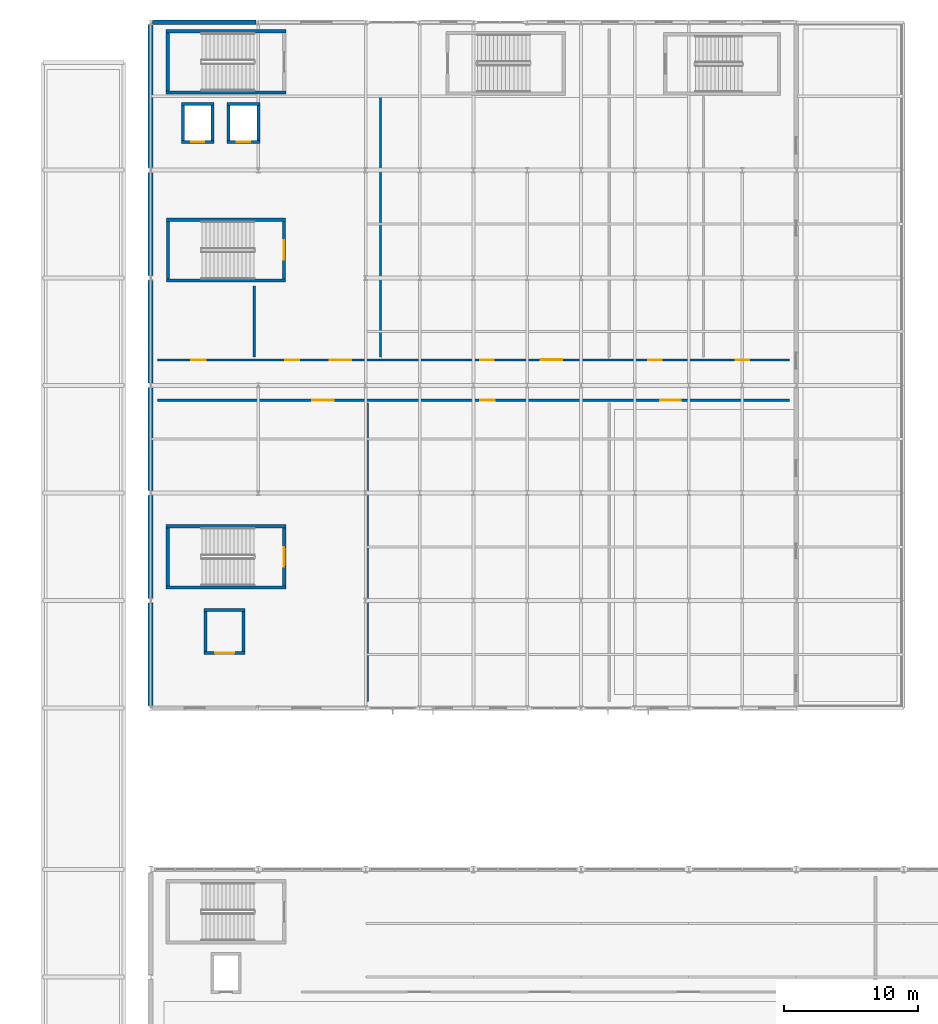
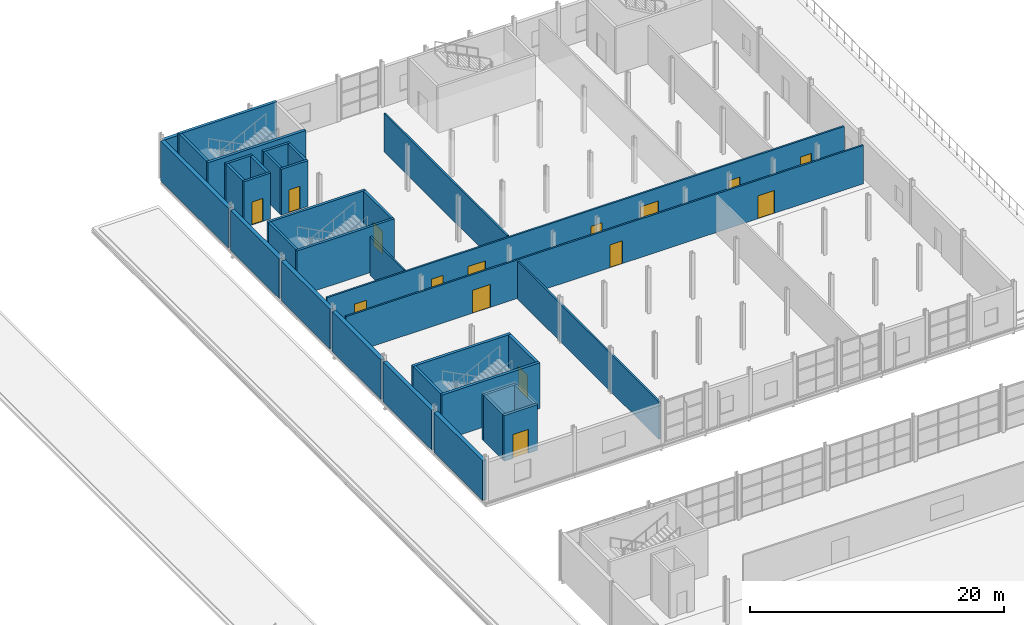
# One storey, part 139 of 153: 35 walls, 14 doors, 1 window, 15 openings.
"""IFC4 building model written with IfcOpenShell, lengths in metres."""

from ifc_helpers import new_model, si_unit, derived_unit, direction, frame, frame_2d, origin, place, context, subcontext, project, spatial, rectangle, extrude, material, layer, layer_set, type_object, element, fill, save


model = new_model("IFC4")

# Units and contexts
model_context = context("Model", 3, precision=1e-05, world=origin(), true_north=direction((0.0, 1.0)))
body_context = subcontext(model_context, "Body", "Model", "MODEL_VIEW")
ifc_project = project(units=[si_unit("LENGTHUNIT", "METRE"), si_unit("AREAUNIT", "SQUARE_METRE"), si_unit("VOLUMEUNIT", "CUBIC_METRE"), si_unit("PLANEANGLEUNIT", "RADIAN"), si_unit("MASSUNIT", "GRAM", prefix="KILO"), derived_unit("THERMALTRANSMITTANCEUNIT", [(si_unit("POWERUNIT", "WATT"), 1), (si_unit("LENGTHUNIT", "METRE"), -2), (si_unit("THERMODYNAMICTEMPERATUREUNIT", "KELVIN"), -1)])], contexts=[model_context])

# Site, building, storey
site_placement = place(None, origin())
site = spatial("IfcSite", under=ifc_project, at=site_placement, CompositionType="ELEMENT")
building_placement = place(site_placement, origin())
building = spatial("IfcBuilding", under=site, at=building_placement, Name="Keldorne Ridge Multi-Sports Centre", CompositionType="ELEMENT")
storey_placement = place(building_placement, frame((0.0, 0.0, 9.60009765625)))
storey = spatial("IfcBuildingStorey", under=building, at=storey_placement, Name="L02", CompositionType="ELEMENT", Elevation=9.60009765625)

# Walls
ifc_material_1 = material(Name="Precast concrete C40/50", Category="concrete")
ifc_layer_1 = layer(ifc_material_1, 0.320068359375)
ifc_layer_set_1 = layer_set([ifc_layer_1], Name="Precast concrete C40/50")
wall_type_1 = type_object("IfcWallType", Name="WAL-PR-W1", PredefinedType="STANDARD", material=ifc_layer_set_1)
wall_1_placement = place(storey_placement, frame((111.847900390625, 117.0, 0.0), z_axis=(0.0, 0.0, 1.0), x_axis=(-1.0, 0.0, 0.0)))
element("IfcWall", 1, at=wall_1_placement, inside=storey, type_object=wall_type_1, Name="East Wing L02 north facade 1", PredefinedType="STANDARD", context=body_context, shape_type="SweptSolid", body=[
    extrude(rectangle(XDim=7.69580078125, YDim=0.320068359375, at=frame_2d((3.847900390625, 0.0))), origin(), (0.0, 0.0, 1.0), 3.77490234375),
])
ifc_layer_2 = layer(ifc_material_1, 0.360107421875)
ifc_layer_set_2 = layer_set([ifc_layer_2], Name="Precast concrete C40/50")
wall_type_2 = type_object("IfcWallType", Name="WAL-PR-W2", PredefinedType="STANDARD", material=ifc_layer_set_2)
for number, where, z_axis, x_axis, name in (
    (2, (104.0, 73.827880859375, 0.0), (0.0, 0.0, 1.0), (0.0, -1.0, 0.0), "East Wing movement-joint wall L02.1"),
    (3, (104.0, 81.827880859375, 0.0), (0.0, 0.0, 1.0), (0.0, -1.0, 0.0), "East Wing movement-joint wall L02.2"),
    (4, (104.0, 89.827880859375, 0.0), (0.0, 0.0, 1.0), (0.0, -1.0, 0.0), "East Wing movement-joint wall L02.3"),
    (5, (104.0, 97.827880859375, 0.0), (0.0, 0.0, 1.0), (0.0, -1.0, 0.0), "East Wing movement-joint wall L02.4"),
    (6, (104.0, 105.827880859375, 0.0), (0.0, 0.0, 1.0), (0.0, -1.0, 0.0), "East Wing movement-joint wall L02.5"),
):
    element("IfcWall", number, at=place(storey_placement, frame(where, z_axis=z_axis, x_axis=x_axis)), inside=storey, type_object=wall_type_2, Name=name, PredefinedType="STANDARD", context=body_context, shape_type="SweptSolid", body=[
        extrude(rectangle(XDim=7.65576171875, YDim=0.360107421875, at=frame_2d((3.827880859375, 0.0))), origin(), (0.0, 0.0, 1.0), 3.824951171875),
    ])
wall_2_placement = place(storey_placement, frame((104.0, 116.827880859375, 0.0), z_axis=(0.0, 0.0, 1.0), x_axis=(0.0, -1.0, 0.0)))
element("IfcWall", 7, at=wall_2_placement, inside=storey, type_object=wall_type_2, Name="East Wing movement-joint wall L02.6", PredefinedType="STANDARD", context=body_context, shape_type="SweptSolid", body=[
    extrude(rectangle(XDim=10.65576171875, YDim=0.360107421875, at=frame_2d((5.327880859375, 0.0))), origin(), (0.0, 0.0, 1.0), 3.824951171875),
])

# Wall, openings, doors
ifc_material_2 = material(Name="Acoustic double stud plasterboard")
ifc_layer_3 = layer(ifc_material_2, 0.159912109375)
ifc_layer_set_3 = layer_set([ifc_layer_3])
wall_type_3 = type_object("IfcWallType", Name="WAL-PT-04", PredefinedType="PARTITIONING", material=ifc_layer_set_3)
wall_3_placement = place(storey_placement, frame((104.5, 88.89990234375, 0.0), z_axis=(0.0, 0.0, 1.0), x_axis=(1.0, 0.0, 0.0)))
wall_3 = element("IfcWall", 8, at=wall_3_placement, inside=storey, type_object=wall_type_3, Name="Clinical corridor south wall IW-L02-055", PredefinedType="PARTITIONING", context=body_context, shape_type="SweptSolid", body=[
    extrude(rectangle(XDim=47.0, YDim=0.159912109375, at=frame_2d((23.5, 0.0))), origin(), (0.0, 0.0, 1.0), 3.699951171875),
])
opening_1_placement = place(wall_3_placement, frame((11.5, 0.0, 0.0)))
opening_1 = element("IfcOpeningElement", 9, at=opening_1_placement, cuts=wall_3, Name="Opening D-04", PredefinedType="OPENING", context=body_context, shape_type="SweptSolid", body=[
    extrude(rectangle(XDim=1.60009765625, YDim=2.199951171875, at=frame_2d((0.800048828125, 1.10009765625))), frame((0.0, 0.08984375, 0.0), z_axis=(0.0, -1.0, 0.0), x_axis=(1.0, 0.0, 0.0)), (0.0, 0.0, 1.0), 0.179931640625),
])
opening_2_placement = place(wall_3_placement, frame((24.0, 0.0, 0.0)))
opening_2 = element("IfcOpeningElement", 10, at=opening_2_placement, cuts=wall_3, Name="Opening D-03", PredefinedType="OPENING", context=body_context, shape_type="SweptSolid", body=[
    extrude(rectangle(XDim=1.10009765625, YDim=2.199951171875, at=frame_2d((0.550048828125, 1.10009765625))), frame((0.0, 0.08984375, 0.0), z_axis=(0.0, -1.0, 0.0), x_axis=(1.0, 0.0, 0.0)), (0.0, 0.0, 1.0), 0.179931640625),
])
opening_3_placement = place(wall_3_placement, frame((37.39990234375, 0.0, 0.0)))
opening_3 = element("IfcOpeningElement", 11, at=opening_3_placement, cuts=wall_3, Name="Opening D-10", PredefinedType="OPENING", context=body_context, shape_type="SweptSolid", body=[
    extrude(rectangle(XDim=1.5, YDim=2.199951171875, at=frame_2d((0.75, 1.10009765625))), frame((0.0, 0.08984375, 0.0), z_axis=(0.0, -1.0, 0.0), x_axis=(1.0, 0.0, 0.0)), (0.0, 0.0, 1.0), 0.179931640625),
])
ifc_material_3 = material(Name="Timber fire-resisting leaf", Category="wood")
door_type_1 = type_object("IfcDoorType", Name="DR-D-03", OperationType="NOTDEFINED", PredefinedType="DOOR", material=ifc_material_3)
door_1_placement = place(opening_2_placement, origin())
door_1 = element("IfcDoor", 12, at=door_1_placement, inside=storey, type_object=door_type_1, Name="Training Courts Changing Village door D-115", OperationType="SINGLE_SWING_RIGHT", OverallHeight=2.199951171875, OverallWidth=1.10009765625, PredefinedType="DOOR", context=body_context, shape_type="SweptSolid", body=[
    extrude(rectangle(XDim=1.10009765625, YDim=2.199951171875, at=frame_2d((0.550048828125, 1.10009765625))), frame((0.0, 0.02490234375, 0.0), z_axis=(0.0, -1.0, 0.0), x_axis=(1.0, 0.0, 0.0)), (0.0, 0.0, 1.0), 0.050048828125),
])
fill(opening_2, door_1)
ifc_material_4 = material(Name="Timber fire-resisting pair", Category="wood")
door_type_2 = type_object("IfcDoorType", Name="DR-D-04", OperationType="NOTDEFINED", PredefinedType="DOOR", material=ifc_material_4)
door_2_placement = place(opening_1_placement, origin())
door_2 = element("IfcDoor", 13, at=door_2_placement, inside=storey, type_object=door_type_2, Name="Second floor south lift lobby door D-114", OperationType="DOUBLE_DOOR_SINGLE_SWING", OverallHeight=2.199951171875, OverallWidth=1.60009765625, PredefinedType="DOOR", context=body_context, shape_type="SweptSolid", body=[
    extrude(rectangle(XDim=1.60009765625, YDim=2.199951171875, at=frame_2d((0.800048828125, 1.10009765625))), frame((0.0, 0.02490234375, 0.0), z_axis=(0.0, -1.0, 0.0), x_axis=(1.0, 0.0, 0.0)), (0.0, 0.0, 1.0), 0.050048828125),
])
fill(opening_1, door_2)
ifc_material_5 = material(Name="Timber acoustic pair", Category="wood")
door_type_3 = type_object("IfcDoorType", Name="DR-D-10", OperationType="NOTDEFINED", PredefinedType="DOOR", material=ifc_material_5)
door_3_placement = place(opening_3_placement, origin())
door_3 = element("IfcDoor", 14, at=door_3_placement, inside=storey, type_object=door_type_3, Name="Rehab Conditioning Gymnasium door D-116", OperationType="DOUBLE_DOOR_SINGLE_SWING", OverallHeight=2.199951171875, OverallWidth=1.5, PredefinedType="DOOR", context=body_context, shape_type="SweptSolid", body=[
    extrude(rectangle(XDim=1.5, YDim=2.199951171875, at=frame_2d((0.75, 1.10009765625))), frame((0.0, 0.02490234375, 0.0), z_axis=(0.0, -1.0, 0.0), x_axis=(1.0, 0.0, 0.0)), (0.0, 0.0, 1.0), 0.050048828125),
])
fill(opening_3, door_3)

# Wall, openings, doors, window
wall_4_placement = place(storey_placement, frame((104.5, 91.89990234375, 0.0), z_axis=(0.0, 0.0, 1.0), x_axis=(1.0, 0.0, 0.0)))
wall_4 = element("IfcWall", 15, at=wall_4_placement, inside=storey, type_object=wall_type_3, Name="Clinical corridor north wall IW-L02-056", PredefinedType="PARTITIONING", context=body_context, shape_type="SweptSolid", body=[
    extrude(rectangle(XDim=47.0, YDim=0.159912109375, at=frame_2d((23.5, 0.0))), origin(), (0.0, 0.0, 1.0), 3.699951171875),
])
opening_4_placement = place(wall_4_placement, frame((2.5, 0.0, 0.0)))
opening_4 = element("IfcOpeningElement", 16, at=opening_4_placement, cuts=wall_4, Name="Opening D-03", PredefinedType="OPENING", context=body_context, shape_type="SweptSolid", body=[
    extrude(rectangle(XDim=1.10009765625, YDim=2.199951171875, at=frame_2d((0.550048828125, 1.10009765625))), frame((0.0, 0.08984375, 0.0), z_axis=(0.0, -1.0, 0.0), x_axis=(1.0, 0.0, 0.0)), (0.0, 0.0, 1.0), 0.179931640625),
])
opening_5_placement = place(wall_4_placement, frame((9.5, 0.0, 0.0)))
opening_5 = element("IfcOpeningElement", 17, at=opening_5_placement, cuts=wall_4, Name="Opening D-08", PredefinedType="OPENING", context=body_context, shape_type="SweptSolid", body=[
    extrude(rectangle(XDim=1.050048828125, YDim=2.14990234375, at=frame_2d((0.52490234375, 1.074951171875))), frame((0.0, 0.08984375, 0.0), z_axis=(0.0, -1.0, 0.0), x_axis=(1.0, 0.0, 0.0)), (0.0, 0.0, 1.0), 0.179931640625),
])
opening_6_placement = place(wall_4_placement, frame((12.800048828125, 0.0, 0.0)))
opening_6 = element("IfcOpeningElement", 18, at=opening_6_placement, cuts=wall_4, Name="Opening D-04", PredefinedType="OPENING", context=body_context, shape_type="SweptSolid", body=[
    extrude(rectangle(XDim=1.60009765625, YDim=2.199951171875, at=frame_2d((0.800048828125, 1.10009765625))), frame((0.0, 0.08984375, 0.0), z_axis=(0.0, -1.0, 0.0), x_axis=(1.0, 0.0, 0.0)), (0.0, 0.0, 1.0), 0.179931640625),
])
opening_7_placement = place(wall_4_placement, frame((24.0, 0.0, 0.0)))
opening_7 = element("IfcOpeningElement", 19, at=opening_7_placement, cuts=wall_4, Name="Opening D-02", PredefinedType="OPENING", context=body_context, shape_type="SweptSolid", body=[
    extrude(rectangle(XDim=1.0, YDim=2.14990234375, at=frame_2d((0.5, 1.074951171875))), frame((0.0, 0.08984375, 0.0), z_axis=(0.0, -1.0, 0.0), x_axis=(1.0, 0.0, 0.0)), (0.0, 0.0, 1.0), 0.179931640625),
])
opening_8_placement = place(wall_4_placement, frame((36.5, 0.0, 0.0)))
opening_8 = element("IfcOpeningElement", 20, at=opening_8_placement, cuts=wall_4, Name="Opening D-02", PredefinedType="OPENING", context=body_context, shape_type="SweptSolid", body=[
    extrude(rectangle(XDim=1.0, YDim=2.14990234375, at=frame_2d((0.5, 1.074951171875))), frame((0.0, 0.08984375, 0.0), z_axis=(0.0, -1.0, 0.0), x_axis=(1.0, 0.0, 0.0)), (0.0, 0.0, 1.0), 0.179931640625),
])
opening_9_placement = place(wall_4_placement, frame((43.0, 0.0, 0.0)))
opening_9 = element("IfcOpeningElement", 21, at=opening_9_placement, cuts=wall_4, Name="Opening D-02", PredefinedType="OPENING", context=body_context, shape_type="SweptSolid", body=[
    extrude(rectangle(XDim=1.0, YDim=2.14990234375, at=frame_2d((0.5, 1.074951171875))), frame((0.0, 0.08984375, 0.0), z_axis=(0.0, -1.0, 0.0), x_axis=(1.0, 0.0, 0.0)), (0.0, 0.0, 1.0), 0.179931640625),
])
opening_10_placement = place(wall_4_placement, frame((28.5, 0.0, 1.10009765625)))
opening_10 = element("IfcOpeningElement", 22, at=opening_10_placement, cuts=wall_4, Name="Opening IW-03", PredefinedType="OPENING", context=body_context, shape_type="SweptSolid", body=[
    extrude(rectangle(XDim=1.60009765625, YDim=1.35009765625, at=frame_2d((0.800048828125, 0.675048828125))), frame((0.0, 0.08984375, 0.0), z_axis=(0.0, -1.0, 0.0), x_axis=(1.0, 0.0, 0.0)), (0.0, 0.0, 1.0), 0.179931640625),
])
ifc_material_6 = material(Name="Timber acoustic leaf", Category="wood")
door_type_4 = type_object("IfcDoorType", Name="DR-D-02", OperationType="NOTDEFINED", PredefinedType="DOOR", material=ifc_material_6)
door_4_placement = place(opening_7_placement, origin())
door_4 = element("IfcDoor", 23, at=door_4_placement, inside=storey, type_object=door_type_4, Name="Sports Medicine Consultation Clinic door D-120", OperationType="SINGLE_SWING_LEFT", OverallHeight=2.14990234375, OverallWidth=1.0, PredefinedType="DOOR", context=body_context, shape_type="SweptSolid", body=[
    extrude(rectangle(XDim=1.0, YDim=2.14990234375, at=frame_2d((0.5, 1.074951171875))), frame((0.0, 0.02490234375, 0.0), z_axis=(0.0, -1.0, 0.0), x_axis=(1.0, 0.0, 0.0)), (0.0, 0.0, 1.0), 0.050048828125),
])
fill(opening_7, door_4)
door_5_placement = place(opening_8_placement, origin())
door_5 = element("IfcDoor", 24, at=door_5_placement, inside=storey, type_object=door_type_4, Name="Physiotherapy Treatment Suite door D-121", OperationType="SINGLE_SWING_RIGHT", OverallHeight=2.14990234375, OverallWidth=1.0, PredefinedType="DOOR", context=body_context, shape_type="SweptSolid", body=[
    extrude(rectangle(XDim=1.0, YDim=2.14990234375, at=frame_2d((0.5, 1.074951171875))), frame((0.0, 0.02490234375, 0.0), z_axis=(0.0, -1.0, 0.0), x_axis=(1.0, 0.0, 0.0)), (0.0, 0.0, 1.0), 0.050048828125),
])
fill(opening_8, door_5)
door_6_placement = place(opening_9_placement, origin())
door_6 = element("IfcDoor", 25, at=door_6_placement, inside=storey, type_object=door_type_4, Name="WADA Doping Control Suite door D-122", OperationType="SINGLE_SWING_LEFT", OverallHeight=2.14990234375, OverallWidth=1.0, PredefinedType="DOOR", context=body_context, shape_type="SweptSolid", body=[
    extrude(rectangle(XDim=1.0, YDim=2.14990234375, at=frame_2d((0.5, 1.074951171875))), frame((0.0, 0.02490234375, 0.0), z_axis=(0.0, -1.0, 0.0), x_axis=(1.0, 0.0, 0.0)), (0.0, 0.0, 1.0), 0.050048828125),
])
fill(opening_9, door_6)
door_7_placement = place(opening_4_placement, origin())
door_7 = element("IfcDoor", 26, at=door_7_placement, inside=storey, type_object=door_type_1, Name="Second floor Public WC door D-117", OperationType="SINGLE_SWING_LEFT", OverallHeight=2.199951171875, OverallWidth=1.10009765625, PredefinedType="DOOR", context=body_context, shape_type="SweptSolid", body=[
    extrude(rectangle(XDim=1.10009765625, YDim=2.199951171875, at=frame_2d((0.550048828125, 1.10009765625))), frame((0.0, 0.02490234375, 0.0), z_axis=(0.0, -1.0, 0.0), x_axis=(1.0, 0.0, 0.0)), (0.0, 0.0, 1.0), 0.050048828125),
])
fill(opening_4, door_7)
door_8_placement = place(opening_6_placement, origin())
door_8 = element("IfcDoor", 27, at=door_8_placement, inside=storey, type_object=door_type_2, Name="Clinic reception north lobby door D-119", OperationType="DOUBLE_DOOR_SINGLE_SWING", OverallHeight=2.199951171875, OverallWidth=1.60009765625, PredefinedType="DOOR", context=body_context, shape_type="SweptSolid", body=[
    extrude(rectangle(XDim=1.60009765625, YDim=2.199951171875, at=frame_2d((0.800048828125, 1.10009765625))), frame((0.0, 0.02490234375, 0.0), z_axis=(0.0, -1.0, 0.0), x_axis=(1.0, 0.0, 0.0)), (0.0, 0.0, 1.0), 0.050048828125),
])
fill(opening_6, door_8)
ifc_material_7 = material(Name="Timber moisture-resistant leaf", Category="wood")
door_type_5 = type_object("IfcDoorType", Name="DR-D-08", OperationType="NOTDEFINED", PredefinedType="DOOR", material=ifc_material_7)
door_9_placement = place(opening_5_placement, origin())
door_9 = element("IfcDoor", 28, at=door_9_placement, inside=storey, type_object=door_type_5, Name="Second floor Accessible WC door D-118", OperationType="SINGLE_SWING_RIGHT", OverallHeight=2.14990234375, OverallWidth=1.050048828125, PredefinedType="DOOR", context=body_context, shape_type="SweptSolid", body=[
    extrude(rectangle(XDim=1.050048828125, YDim=2.14990234375, at=frame_2d((0.52490234375, 1.074951171875))), frame((0.0, 0.02490234375, 0.0), z_axis=(0.0, -1.0, 0.0), x_axis=(1.0, 0.0, 0.0)), (0.0, 0.0, 1.0), 0.050048828125),
])
fill(opening_5, door_9)
ifc_material_8 = material(Name="Anodized aluminium", Category="aluminium")
window_type = type_object("IfcWindowType", Name="WIN-IW-03", PartitioningType="SINGLE_PANEL", PredefinedType="WINDOW", material=ifc_material_8)
window_placement = place(opening_10_placement, origin())
window = element("IfcWindow", 29, at=window_placement, inside=storey, type_object=window_type, Name="Internal viewing window", OverallHeight=1.35009765625, OverallWidth=1.60009765625, PartitioningType="SINGLE_PANEL", PredefinedType="WINDOW", context=body_context, shape_type="SweptSolid", body=[
    extrude(rectangle(XDim=1.60009765625, YDim=1.35009765625, at=frame_2d((0.800048828125, 0.675048828125))), frame((0.0, 0.030029296875, 0.0), z_axis=(0.0, -1.0, 0.0), x_axis=(1.0, 0.0, 0.0)), (0.0, 0.0, 1.0), 0.06005859375),
])
fill(opening_10, window)

# Walls
wall_5_placement = place(storey_placement, frame((111.699951171875, 92.10009765625, 0.0), z_axis=(0.0, 0.0, 1.0), x_axis=(0.0, 1.0, 0.0)))
element("IfcWall", 30, at=wall_5_placement, inside=storey, type_object=wall_type_3, Name="Clinical suite divider IW-L02-057", PredefinedType="PARTITIONING", context=body_context, shape_type="SweptSolid", body=[
    extrude(rectangle(XDim=5.2998046875, YDim=0.159912109375, at=frame_2d((2.64990234375, 0.0))), origin(), (0.0, 0.0, 1.0), 3.699951171875),
])
wall_6_placement = place(storey_placement, frame((120.10009765625, 66.5, 0.0), z_axis=(0.0, 0.0, 1.0), x_axis=(0.0, 1.0, 0.0)))
element("IfcWall", 31, at=wall_6_placement, inside=storey, type_object=wall_type_3, Name="Clinical suite divider IW-L02-058", PredefinedType="PARTITIONING", context=body_context, shape_type="SweptSolid", body=[
    extrude(rectangle(XDim=22.199951171875, YDim=0.159912109375, at=frame_2d((11.10009765625, 0.0))), origin(), (0.0, 0.0, 1.0), 3.625),
])
wall_7_placement = place(storey_placement, frame((121.10009765625, 92.10009765625, 0.0), z_axis=(0.0, 0.0, 1.0), x_axis=(0.0, 1.0, 0.0)))
element("IfcWall", 32, at=wall_7_placement, inside=storey, type_object=wall_type_3, Name="Clinical suite divider IW-L02-060", PredefinedType="PARTITIONING", context=body_context, shape_type="SweptSolid", body=[
    extrude(rectangle(XDim=19.39990234375, YDim=0.159912109375, at=frame_2d((9.699951171875, 0.0))), origin(), (0.0, 0.0, 1.0), 3.699951171875),
])
ifc_material_9 = material(Name="Concrete C40/50", Category="concrete")
ifc_layer_4 = layer(ifc_material_9, 0.25)
ifc_layer_set_4 = layer_set([ifc_layer_4], Name="Concrete C40/50")
wall_type_4 = type_object("IfcWallType", Name="WAL-SW01", PredefinedType="SHEAR", material=ifc_layer_set_4)
wall_8_placement = place(storey_placement, frame((105.27490234375, 116.199951171875, 0.0), z_axis=(0.0, 0.0, 1.0), x_axis=(0.0, -1.0, 0.0)))
element("IfcWall", 33, at=wall_8_placement, inside=storey, type_object=wall_type_4, Name="Stair ST-01 shaft wall L02 FAR", PredefinedType="SHEAR", context=body_context, shape_type="SweptSolid", body=[
    extrude(rectangle(XDim=4.300048828125, YDim=0.25, at=frame_2d((2.14990234375, 0.0))), origin(), (0.0, 0.0, 1.0), 4.39990234375),
])
for number, where, z_axis, x_axis, name in (
    (34, (105.14990234375, 111.77490234375, 0.0), (0.0, 0.0, 1.0), (1.0, 0.0, 0.0), "Stair ST-01 shaft wall L02 SOUTH"),
    (35, (114.050048828125, 116.324951171875, 0.0), (0.0, 0.0, 1.0), (-1.0, 0.0, 0.0), "Stair ST-01 shaft wall L02 NORTH"),
):
    element("IfcWall", number, at=place(storey_placement, frame(where, z_axis=z_axis, x_axis=x_axis)), inside=storey, type_object=wall_type_4, Name=name, PredefinedType="SHEAR", context=body_context, shape_type="SweptSolid", body=[
        extrude(rectangle(XDim=8.900146484375, YDim=0.25, at=frame_2d((4.4501953125, 0.0))), origin(), (0.0, 0.0, 1.0), 4.39990234375),
    ])

# Wall, opening, door
wall_9_placement = place(storey_placement, frame((113.925048828125, 75.10009765625, 0.0), z_axis=(0.0, 0.0, 1.0), x_axis=(0.0, 1.0, 0.0)))
wall_9 = element("IfcWall", 36, at=wall_9_placement, inside=storey, type_object=wall_type_4, Name="Stair ST-02 shaft wall L02 NEAR", PredefinedType="SHEAR", context=body_context, shape_type="SweptSolid", body=[
    extrude(rectangle(XDim=4.2998046875, YDim=0.25, at=frame_2d((2.14990234375, 0.0))), origin(), (0.0, 0.0, 1.0), 4.39990234375),
])
opening_11_placement = place(wall_9_placement, frame((1.425048828125, 0.0, 0.0)))
opening_11 = element("IfcOpeningElement", 37, at=opening_11_placement, cuts=wall_9, Name="Opening D-05", PredefinedType="OPENING", context=body_context, shape_type="SweptSolid", body=[
    extrude(rectangle(XDim=1.449951171875, YDim=2.199951171875, at=frame_2d((0.72509765625, 1.10009765625))), frame((0.0, 0.135009765625, 0.0), z_axis=(0.0, -1.0, 0.0), x_axis=(1.0, 0.0, 0.0)), (0.0, 0.0, 1.0), 0.27001953125),
])
ifc_material_10 = material(Name="Steel fire-resisting pair", Category="steel")
door_type_6 = type_object("IfcDoorType", Name="DR-D-05", OperationType="NOTDEFINED", PredefinedType="DOOR", material=ifc_material_10)
door_10_placement = place(opening_11_placement, origin())
door_10 = element("IfcDoor", 38, at=door_10_placement, inside=storey, type_object=door_type_6, Name="Stair ST-02 L02 fire door D-011", OperationType="DOUBLE_DOOR_SINGLE_SWING", OverallHeight=2.199951171875, OverallWidth=1.449951171875, PredefinedType="DOOR", context=body_context, shape_type="SweptSolid", body=[
    extrude(rectangle(XDim=1.449951171875, YDim=2.199951171875, at=frame_2d((0.72509765625, 1.10009765625))), frame((0.0, 0.02490234375, 0.0), z_axis=(0.0, -1.0, 0.0), x_axis=(1.0, 0.0, 0.0)), (0.0, 0.0, 1.0), 0.050048828125),
])
fill(opening_11, door_10)

# Walls
wall_10_placement = place(storey_placement, frame((105.27490234375, 79.39990234375, 0.0), z_axis=(0.0, 0.0, 1.0), x_axis=(0.0, -1.0, 0.0)))
element("IfcWall", 39, at=wall_10_placement, inside=storey, type_object=wall_type_4, Name="Stair ST-02 shaft wall L02 FAR", PredefinedType="SHEAR", context=body_context, shape_type="SweptSolid", body=[
    extrude(rectangle(XDim=4.2998046875, YDim=0.25, at=frame_2d((2.14990234375, 0.0))), origin(), (0.0, 0.0, 1.0), 4.39990234375),
])
for number, where, z_axis, x_axis, name in (
    (40, (105.14990234375, 74.97509765625, 0.0), (0.0, 0.0, 1.0), (1.0, 0.0, 0.0), "Stair ST-02 shaft wall L02 SOUTH"),
    (41, (114.050048828125, 79.52490234375, 0.0), (0.0, 0.0, 1.0), (-1.0, 0.0, 0.0), "Stair ST-02 shaft wall L02 NORTH"),
):
    element("IfcWall", number, at=place(storey_placement, frame(where, z_axis=z_axis, x_axis=x_axis)), inside=storey, type_object=wall_type_4, Name=name, PredefinedType="SHEAR", context=body_context, shape_type="SweptSolid", body=[
        extrude(rectangle(XDim=8.900146484375, YDim=0.25, at=frame_2d((4.4501953125, 0.0))), origin(), (0.0, 0.0, 1.0), 4.39990234375),
    ])

# Wall, opening, door
ifc_layer_5 = layer(ifc_material_9, 0.22998046875)
ifc_layer_set_5 = layer_set([ifc_layer_5], Name="Concrete C40/50")
wall_type_5 = type_object("IfcWallType", Name="WAL-SW02", PredefinedType="SHEAR", material=ifc_layer_set_5)
wall_11_placement = place(storey_placement, frame((106.280029296875, 108.090087890625, 0.0), z_axis=(0.0, 0.0, 1.0), x_axis=(1.0, 0.0, 0.0)))
wall_11 = element("IfcWall", 42, at=wall_11_placement, inside=storey, type_object=wall_type_5, Name="Lift L-01 shaft wall L02 south", PredefinedType="SHEAR", context=body_context, shape_type="SweptSolid", body=[
    extrude(rectangle(XDim=2.43994140625, YDim=0.219970703125, at=frame_2d((1.219970703125, 0.0))), origin(), (0.0, 0.0, 1.0), 4.39990234375),
])
opening_12_placement = place(wall_11_placement, frame((0.719970703125, 0.0, 0.0)))
opening_12 = element("IfcOpeningElement", 43, at=opening_12_placement, cuts=wall_11, Name="Opening LD-01", PredefinedType="OPENING", context=body_context, shape_type="SweptSolid", body=[
    extrude(rectangle(XDim=1.0, YDim=2.199951171875, at=frame_2d((0.5, 1.10009765625))), frame((0.0, 0.1201171875, 0.0), z_axis=(0.0, -1.0, 0.0), x_axis=(1.0, 0.0, 0.0)), (0.0, 0.0, 1.0), 0.239990234375),
])
ifc_material_11 = material(Name="Stainless steel", Category="steel")
door_type_7 = type_object("IfcDoorType", Name="DR-LD-01", OperationType="NOTDEFINED", PredefinedType="DOOR", material=ifc_material_11)
door_11_placement = place(opening_12_placement, origin())
door_11 = element("IfcDoor", 44, at=door_11_placement, inside=storey, type_object=door_type_7, Name="Lift L-01 sliding landing door L02", OperationType="SLIDING_TO_LEFT", OverallHeight=2.199951171875, OverallWidth=1.0, PredefinedType="DOOR", context=body_context, shape_type="SweptSolid", body=[
    extrude(rectangle(XDim=1.0, YDim=2.199951171875, at=frame_2d((0.5, 1.10009765625))), frame((0.0, 0.02490234375, 0.0), z_axis=(0.0, -1.0, 0.0), x_axis=(1.0, 0.0, 0.0)), (0.0, 0.0, 1.0), 0.050048828125),
])
fill(opening_12, door_11)

# Walls
wall_12_placement = place(storey_placement, frame((108.719970703125, 110.909912109375, 0.0), z_axis=(0.0, 0.0, 1.0), x_axis=(-1.0, 0.0, 0.0)))
element("IfcWall", 45, at=wall_12_placement, inside=storey, type_object=wall_type_5, Name="Lift L-01 shaft wall L02 north", PredefinedType="SHEAR", context=body_context, shape_type="SweptSolid", body=[
    extrude(rectangle(XDim=2.43994140625, YDim=0.219970703125, at=frame_2d((1.219970703125, 0.0))), origin(), (0.0, 0.0, 1.0), 4.39990234375),
])
for number, where, z_axis, x_axis, name in (
    (46, (106.389892578125, 110.800048828125, 0.0), (0.0, 0.0, 1.0), (0.0, -1.0, 0.0), "Lift L-01 shaft wall L02 west"),
    (47, (108.610107421875, 108.199951171875, 0.0), (0.0, 0.0, 1.0), (0.0, 1.0, 0.0), "Lift L-01 shaft wall L02 east"),
):
    element("IfcWall", number, at=place(storey_placement, frame(where, z_axis=z_axis, x_axis=x_axis)), inside=storey, type_object=wall_type_5, Name=name, PredefinedType="SHEAR", context=body_context, shape_type="SweptSolid", body=[
        extrude(rectangle(XDim=2.60009765625, YDim=0.219970703125, at=frame_2d((1.300048828125, 0.0))), origin(), (0.0, 0.0, 1.0), 4.39990234375),
    ])

# Wall, opening, door
wall_13_placement = place(storey_placement, frame((109.679931640625, 108.090087890625, 0.0), z_axis=(0.0, 0.0, 1.0), x_axis=(1.0, 0.0, 0.0)))
wall_13 = element("IfcWall", 48, at=wall_13_placement, inside=storey, type_object=wall_type_5, Name="Lift L-02 shaft wall L02 south", PredefinedType="SHEAR", context=body_context, shape_type="SweptSolid", body=[
    extrude(rectangle(XDim=2.440185546875, YDim=0.219970703125, at=frame_2d((1.22021484375, 0.0))), origin(), (0.0, 0.0, 1.0), 4.39990234375),
])
opening_13_placement = place(wall_13_placement, frame((0.719970703125, 0.0, 0.0)))
opening_13 = element("IfcOpeningElement", 49, at=opening_13_placement, cuts=wall_13, Name="Opening LD-01", PredefinedType="OPENING", context=body_context, shape_type="SweptSolid", body=[
    extrude(rectangle(XDim=1.0, YDim=2.199951171875, at=frame_2d((0.5, 1.10009765625))), frame((0.0, 0.1201171875, 0.0), z_axis=(0.0, -1.0, 0.0), x_axis=(1.0, 0.0, 0.0)), (0.0, 0.0, 1.0), 0.239990234375),
])
door_12_placement = place(opening_13_placement, origin())
door_12 = element("IfcDoor", 50, at=door_12_placement, inside=storey, type_object=door_type_7, Name="Lift L-02 sliding landing door L02", OperationType="SLIDING_TO_LEFT", OverallHeight=2.199951171875, OverallWidth=1.0, PredefinedType="DOOR", context=body_context, shape_type="SweptSolid", body=[
    extrude(rectangle(XDim=1.0, YDim=2.199951171875, at=frame_2d((0.5, 1.10009765625))), frame((0.0, 0.02490234375, 0.0), z_axis=(0.0, -1.0, 0.0), x_axis=(1.0, 0.0, 0.0)), (0.0, 0.0, 1.0), 0.050048828125),
])
fill(opening_13, door_12)

# Walls
wall_14_placement = place(storey_placement, frame((112.1201171875, 110.909912109375, 0.0), z_axis=(0.0, 0.0, 1.0), x_axis=(-1.0, 0.0, 0.0)))
element("IfcWall", 51, at=wall_14_placement, inside=storey, type_object=wall_type_5, Name="Lift L-02 shaft wall L02 north", PredefinedType="SHEAR", context=body_context, shape_type="SweptSolid", body=[
    extrude(rectangle(XDim=2.440185546875, YDim=0.219970703125, at=frame_2d((1.22021484375, 0.0))), origin(), (0.0, 0.0, 1.0), 4.39990234375),
])
for number, where, z_axis, x_axis, name in (
    (52, (109.7900390625, 110.800048828125, 0.0), (0.0, 0.0, 1.0), (0.0, -1.0, 0.0), "Lift L-02 shaft wall L02 west"),
    (53, (112.010009765625, 108.199951171875, 0.0), (0.0, 0.0, 1.0), (0.0, 1.0, 0.0), "Lift L-02 shaft wall L02 east"),
):
    element("IfcWall", number, at=place(storey_placement, frame(where, z_axis=z_axis, x_axis=x_axis)), inside=storey, type_object=wall_type_5, Name=name, PredefinedType="SHEAR", context=body_context, shape_type="SweptSolid", body=[
        extrude(rectangle(XDim=2.60009765625, YDim=0.219970703125, at=frame_2d((1.300048828125, 0.0))), origin(), (0.0, 0.0, 1.0), 4.39990234375),
    ])

# Wall, opening, door
wall_15_placement = place(storey_placement, frame((107.97998046875, 70.090087890625, 0.0), z_axis=(0.0, 0.0, 1.0), x_axis=(1.0, 0.0, 0.0)))
wall_15 = element("IfcWall", 54, at=wall_15_placement, inside=storey, type_object=wall_type_5, Name="Lift L-05 shaft wall L02 south", PredefinedType="SHEAR", context=body_context, shape_type="SweptSolid", body=[
    extrude(rectangle(XDim=3.0400390625, YDim=0.219970703125, at=frame_2d((1.52001953125, 0.0))), origin(), (0.0, 0.0, 1.0), 4.39990234375),
])
opening_14_placement = place(wall_15_placement, frame((0.820068359375, 0.0, 0.0)))
opening_14 = element("IfcOpeningElement", 55, at=opening_14_placement, cuts=wall_15, Name="Opening LD-03", PredefinedType="OPENING", context=body_context, shape_type="SweptSolid", body=[
    extrude(rectangle(XDim=1.39990234375, YDim=2.300048828125, at=frame_2d((0.699951171875, 1.14990234375))), frame((0.0, 0.1201171875, 0.0), z_axis=(0.0, -1.0, 0.0), x_axis=(1.0, 0.0, 0.0)), (0.0, 0.0, 1.0), 0.239990234375),
])
door_type_8 = type_object("IfcDoorType", Name="DR-LD-03", OperationType="NOTDEFINED", PredefinedType="DOOR", material=ifc_material_11)
door_13_placement = place(opening_14_placement, origin())
door_13 = element("IfcDoor", 56, at=door_13_placement, inside=storey, type_object=door_type_8, Name="Lift L-05 sliding landing door L02", OperationType="SLIDING_TO_LEFT", OverallHeight=2.300048828125, OverallWidth=1.39990234375, PredefinedType="DOOR", context=body_context, shape_type="SweptSolid", body=[
    extrude(rectangle(XDim=1.39990234375, YDim=2.300048828125, at=frame_2d((0.699951171875, 1.14990234375))), frame((0.0, 0.02490234375, 0.0), z_axis=(0.0, -1.0, 0.0), x_axis=(1.0, 0.0, 0.0)), (0.0, 0.0, 1.0), 0.050048828125),
])
fill(opening_14, door_13)

# Walls
wall_16_placement = place(storey_placement, frame((111.02001953125, 73.31005859375, 0.0), z_axis=(0.0, 0.0, 1.0), x_axis=(-1.0, 0.0, 0.0)))
element("IfcWall", 57, at=wall_16_placement, inside=storey, type_object=wall_type_5, Name="Lift L-05 shaft wall L02 north", PredefinedType="SHEAR", context=body_context, shape_type="SweptSolid", body=[
    extrude(rectangle(XDim=3.0400390625, YDim=0.219970703125, at=frame_2d((1.52001953125, 0.0))), origin(), (0.0, 0.0, 1.0), 4.39990234375),
])
for number, where, z_axis, x_axis, name in (
    (58, (108.090087890625, 73.199951171875, 0.0), (0.0, 0.0, 1.0), (0.0, -1.0, 0.0), "Lift L-05 shaft wall L02 west"),
    (59, (110.909912109375, 70.199951171875, 0.0), (0.0, 0.0, 1.0), (0.0, 1.0, 0.0), "Lift L-05 shaft wall L02 east"),
):
    element("IfcWall", number, at=place(storey_placement, frame(where, z_axis=z_axis, x_axis=x_axis)), inside=storey, type_object=wall_type_5, Name=name, PredefinedType="SHEAR", context=body_context, shape_type="SweptSolid", body=[
        extrude(rectangle(XDim=3.0, YDim=0.219970703125, at=frame_2d((1.5, 0.0))), origin(), (0.0, 0.0, 1.0), 4.39990234375),
    ])

# Wall, opening, door
wall_17_placement = place(storey_placement, frame((113.9150390625, 97.89990234375, 0.0), z_axis=(0.0, 0.0, 1.0), x_axis=(0.0, 1.0, 0.0)))
wall_17 = element("IfcWall", 60, at=wall_17_placement, inside=storey, type_object=wall_type_5, Name="Stair ST-11 shaft wall L02 NEAR", PredefinedType="SHEAR", context=body_context, shape_type="SweptSolid", body=[
    extrude(rectangle(XDim=4.300048828125, YDim=0.22998046875, at=frame_2d((2.14990234375, 0.0))), origin(), (0.0, 0.0, 1.0), 4.39990234375),
])
opening_15_placement = place(wall_17_placement, frame((1.425048828125, 0.0, 0.0)))
opening_15 = element("IfcOpeningElement", 61, at=opening_15_placement, cuts=wall_17, Name="Opening D-05", PredefinedType="OPENING", context=body_context, shape_type="SweptSolid", body=[
    extrude(rectangle(XDim=1.449951171875, YDim=2.199951171875, at=frame_2d((0.72509765625, 1.10009765625))), frame((0.0, 0.125, 0.0), z_axis=(0.0, -1.0, 0.0), x_axis=(1.0, 0.0, 0.0)), (0.0, 0.0, 1.0), 0.25),
])
door_14_placement = place(opening_15_placement, origin())
door_14 = element("IfcDoor", 62, at=door_14_placement, inside=storey, type_object=door_type_6, Name="Stair ST-11 L02 fire door D-048", OperationType="DOUBLE_DOOR_SINGLE_SWING", OverallHeight=2.199951171875, OverallWidth=1.449951171875, PredefinedType="DOOR", context=body_context, shape_type="SweptSolid", body=[
    extrude(rectangle(XDim=1.449951171875, YDim=2.199951171875, at=frame_2d((0.72509765625, 1.10009765625))), frame((0.0, 0.02490234375, 0.0), z_axis=(0.0, -1.0, 0.0), x_axis=(1.0, 0.0, 0.0)), (0.0, 0.0, 1.0), 0.050048828125),
])
fill(opening_15, door_14)

# Walls
wall_18_placement = place(storey_placement, frame((105.284912109375, 102.199951171875, 0.0), z_axis=(0.0, 0.0, 1.0), x_axis=(0.0, -1.0, 0.0)))
element("IfcWall", 63, at=wall_18_placement, inside=storey, type_object=wall_type_5, Name="Stair ST-11 shaft wall L02 FAR", PredefinedType="SHEAR", context=body_context, shape_type="SweptSolid", body=[
    extrude(rectangle(XDim=4.300048828125, YDim=0.22998046875, at=frame_2d((2.14990234375, 0.0))), origin(), (0.0, 0.0, 1.0), 4.39990234375),
])
for number, where, z_axis, x_axis, name in (
    (64, (105.169921875, 97.784912109375, 0.0), (0.0, 0.0, 1.0), (1.0, 0.0, 0.0), "Stair ST-11 shaft wall L02 SOUTH"),
    (65, (114.030029296875, 102.31494140625, 0.0), (0.0, 0.0, 1.0), (-1.0, 0.0, 0.0), "Stair ST-11 shaft wall L02 NORTH"),
):
    element("IfcWall", number, at=place(storey_placement, frame(where, z_axis=z_axis, x_axis=x_axis)), inside=storey, type_object=wall_type_5, Name=name, PredefinedType="SHEAR", context=body_context, shape_type="SweptSolid", body=[
        extrude(rectangle(XDim=8.860107421875, YDim=0.22998046875, at=frame_2d((4.43017578125, 0.0))), origin(), (0.0, 0.0, 1.0), 4.39990234375),
    ])

save(model, "model.ifc")
